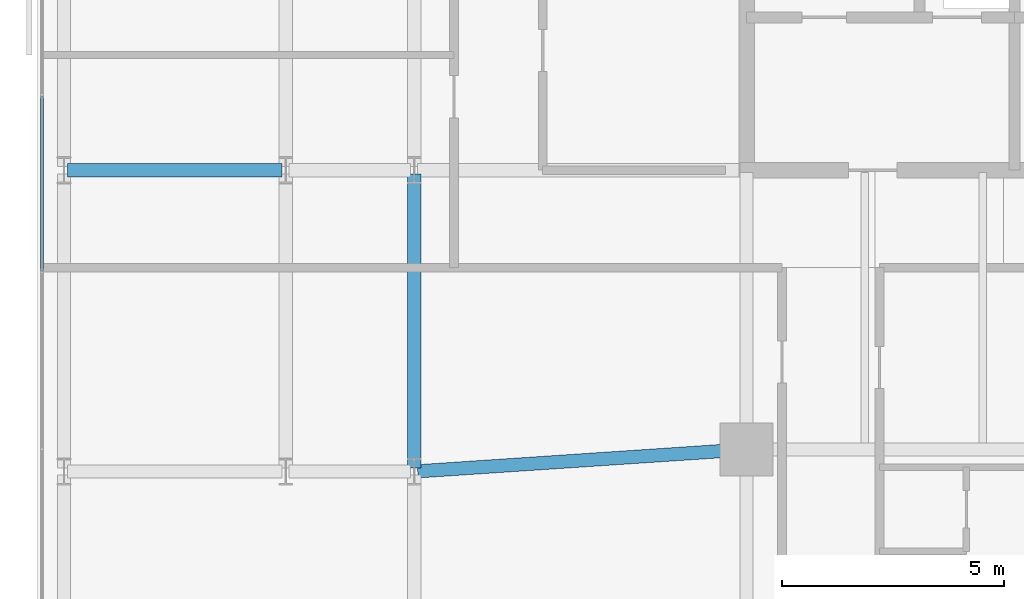
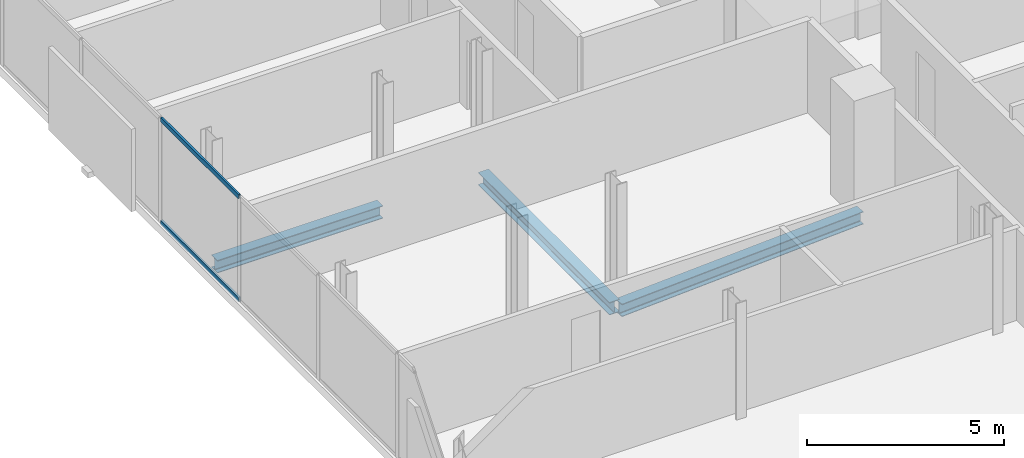
# One storey, part 10 of 32: 3 beams, 2 members, 1 element without a shape of its own.
"""IFC4 building model written with IfcOpenShell, lengths in metres."""

from ifc_helpers import new_model, si_unit, direction, frame, origin, origin_2d, place, context, subcontext, project, spatial, hollow_rectangle, i_section, extrude, material, layer, layer_set, material_profile, profile_set, type_object, element, aggregate, save


model = new_model("IFC4")

# Units and contexts
model_context = context("Model", 3, precision=1e-05, world=origin(), true_north=direction((0.0, 1.0)))
body_context = subcontext(model_context, "Body", "Model", "MODEL_VIEW")
ifc_project = project(units=[si_unit("LENGTHUNIT", "METRE"), si_unit("AREAUNIT", "SQUARE_METRE"), si_unit("VOLUMEUNIT", "CUBIC_METRE"), si_unit("PLANEANGLEUNIT", "RADIAN"), si_unit("MASSUNIT", "GRAM", prefix="KILO")], contexts=[model_context])

# Site, building, storey
site_placement = place(None, origin())
site = spatial("IfcSite", under=ifc_project, at=site_placement, CompositionType="ELEMENT")
building_placement = place(site_placement, origin())
building = spatial("IfcBuilding", under=site, at=building_placement, Name="Catumbela Crestline Tower", CompositionType="ELEMENT")
storey_placement = place(building_placement, frame((0.0, 0.0, 140.4)))
storey = spatial("IfcBuildingStorey", under=building, at=storey_placement, Name="L36", CompositionType="ELEMENT", Elevation=140.4)

# Beams
ifc_material_1 = material(Name="Structural steel S355J2", Category="steel")
ifc_material_profile_1 = material_profile(ifc_material_1, i_section(OverallWidth=0.3, OverallDepth=0.39, WebThickness=0.011, FlangeThickness=0.019, FilletRadius=0.027, at=origin_2d()), Name="HEA 400")
ifc_profile_set_1 = profile_set([ifc_material_profile_1], Name="Structural steel S355J2")
beam_type = type_object("IfcBeamType", Name="BG-HEA400", PredefinedType="BEAM", material=ifc_profile_set_1)
beam_1_placement = place(storey_placement, frame((8.5798, 24.0053, -0.455), z_axis=(0.997784796964, 0.066524423687, 0.0), x_axis=(-0.066524423687, 0.997784796964, 0.0)))
element("IfcBeam", 1, at=beam_1_placement, inside=storey, type_object=beam_type, Name="L36 Beam BM-L36-S03", PredefinedType="BEAM", context=body_context, shape_type="SweptSolid", body=[
    extrude(i_section(OverallWidth=0.3, OverallDepth=0.39, WebThickness=0.011, FlangeThickness=0.019, FilletRadius=0.027, at=origin_2d()), origin(), (0.0, 0.0, 1.0), 7.3567),
])
beam_2_placement = place(storey_placement, frame((0.68, 30.8, -0.455), z_axis=(1.0, 0.0, 0.0), x_axis=(0.0, 1.0, 0.0)))
element("IfcBeam", 2, at=beam_2_placement, inside=storey, type_object=beam_type, Name="L36 Beam BM-L36-M07", PredefinedType="BEAM", context=body_context, shape_type="SweptSolid", body=[
    extrude(i_section(OverallWidth=0.3, OverallDepth=0.39, WebThickness=0.011, FlangeThickness=0.019, FilletRadius=0.027, at=origin_2d()), origin(), (0.0, 0.0, 1.0), 4.84),
])
beam_3_placement = place(storey_placement, frame((8.5, 24.08, -0.455), z_axis=(0.0, 1.0, 0.0), x_axis=(-1.0, 0.0, 0.0)))
element("IfcBeam", 3, at=beam_3_placement, inside=storey, type_object=beam_type, Name="L36 Beam BM-L36-SN26", PredefinedType="BEAM", context=body_context, shape_type="SweptSolid", body=[
    extrude(i_section(OverallWidth=0.3, OverallDepth=0.39, WebThickness=0.011, FlangeThickness=0.019, FilletRadius=0.027, at=origin_2d()), origin(), (0.0, 0.0, 1.0), 6.64),
])

# Curtain wall, members
ifc_material_2 = material(Name="Aluminium alloy AW-6060-T66", Category="aluminium")
ifc_layer = layer(ifc_material_2, 0.18, Name="Aluminium alloy AW-6060-T66")
ifc_layer_set = layer_set([ifc_layer], Name="Aluminium alloy AW-6060-T66")
curtain_wall_type = type_object("IfcCurtainWallType", Name="CWU-Z2", PredefinedType="USERDEFINED", material=ifc_layer_set)
curtain_wall_placement = place(storey_placement, origin())
curtain_wall = element("IfcCurtainWall", 4, at=curtain_wall_placement, inside=storey, type_object=curtain_wall_type, Name="L36 Unitised Curtain Wall CW-L36-E9S1", ObjectType="UNITISED", PredefinedType="USERDEFINED")
ifc_material_profile_2 = material_profile(ifc_material_2, hollow_rectangle(XDim=0.06, YDim=0.14, WallThickness=0.004, at=origin_2d()), Name="ALU 140x60x4")
ifc_profile_set_2 = profile_set([ifc_material_profile_2], Name="Aluminium alloy AW-6060-T66")
member_type = type_object("IfcMemberType", Name="TRN-140X60", PredefinedType="USERDEFINED", material=ifc_profile_set_2)
member_1_placement = place(storey_placement, frame((0.1, 32.4675, 0.03), z_axis=(0.0, -1.0, 0.0), x_axis=(1.0, 0.0, 0.0)))
member_1 = element("IfcMember", 5, at=member_1_placement, type_object=member_type, Name="CWU-Z2 transom 4.1", ObjectType="TRANSOM", PredefinedType="USERDEFINED", context=body_context, shape_type="SweptSolid", body=[
    extrude(hollow_rectangle(XDim=0.06, YDim=0.14, WallThickness=0.004, at=origin_2d()), origin(), (0.0, 0.0, 1.0), 3.935),
])
member_2_placement = place(storey_placement, frame((0.1, 32.4675, 3.21), z_axis=(0.0, -1.0, 0.0), x_axis=(1.0, 0.0, 0.0)))
member_2 = element("IfcMember", 6, at=member_2_placement, type_object=member_type, Name="CWU-Z2 transom 4.2", ObjectType="TRANSOM", PredefinedType="USERDEFINED", context=body_context, shape_type="SweptSolid", body=[
    extrude(hollow_rectangle(XDim=0.06, YDim=0.14, WallThickness=0.004, at=origin_2d()), origin(), (0.0, 0.0, 1.0), 3.935),
])
aggregate(curtain_wall, [member_1, member_2])

save(model, "model.ifc")
